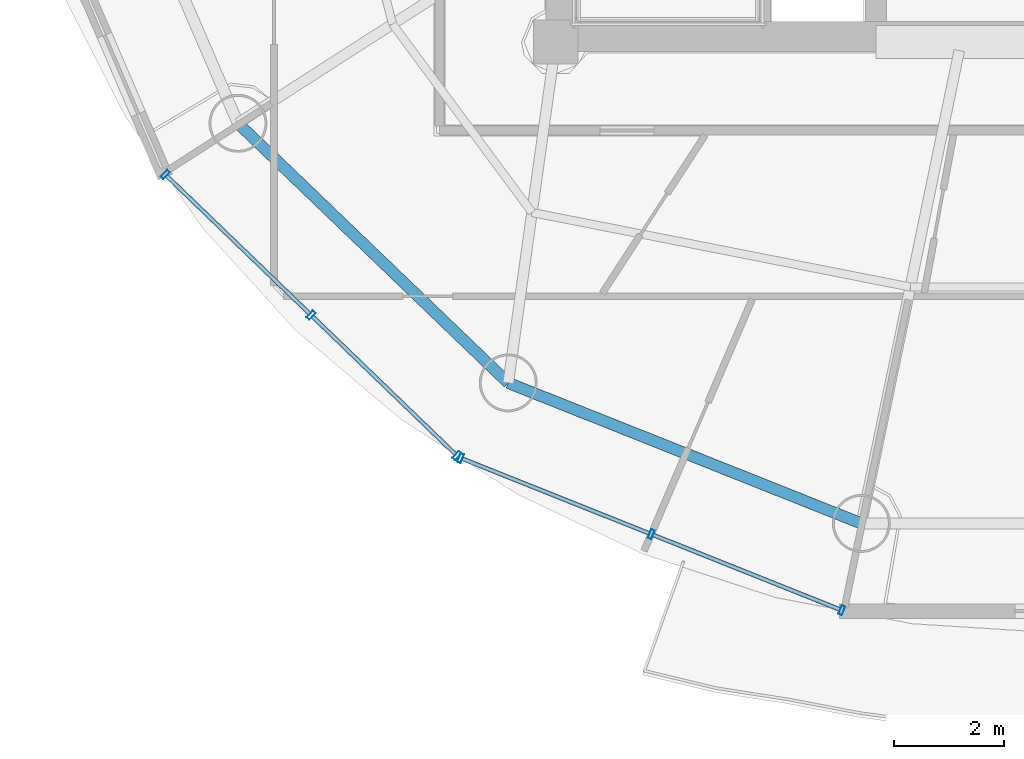
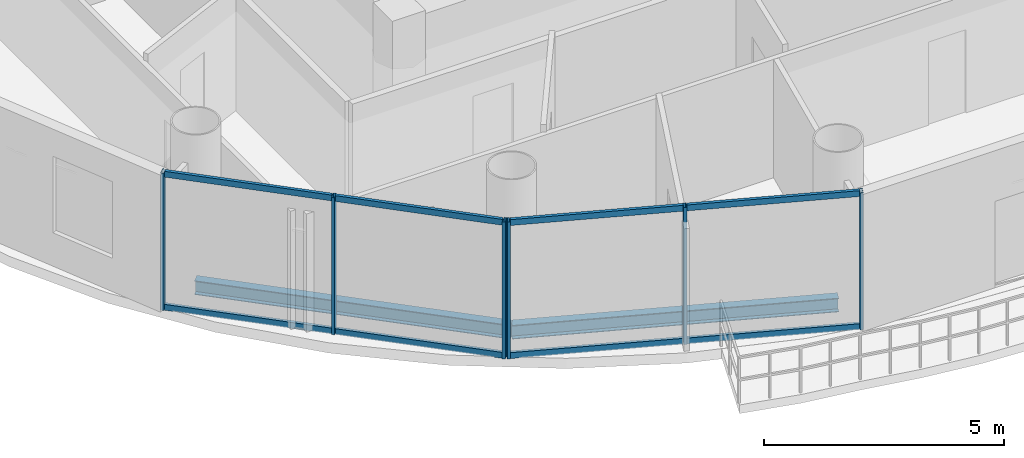
# One storey, part 2 of 24: 14 members, 2 beams, 2 elements without a shape of their own.
"""IFC4 building model written with IfcOpenShell, lengths in metres."""

from ifc_helpers import new_model, si_unit, direction, frame, origin, origin_2d, place, context, subcontext, project, spatial, hollow_rectangle, i_section, extrude, source, transform, mapped, material, material_profile, profile_set, type_object, element, aggregate, save


model = new_model("IFC4")

# Units and contexts
model_context = context("Model", 3, precision=1e-05, world=origin(), true_north=direction((-0.2419218956, 0.970295726276)))
body_context = subcontext(model_context, "Body", "Model", "MODEL_VIEW")
ifc_project = project(units=[si_unit("LENGTHUNIT", "METRE"), si_unit("AREAUNIT", "SQUARE_METRE"), si_unit("VOLUMEUNIT", "CUBIC_METRE"), si_unit("PLANEANGLEUNIT", "RADIAN"), si_unit("MASSUNIT", "GRAM", prefix="KILO")], contexts=[model_context])

# Site, building, storey
site_placement = place(None, origin())
site = spatial("IfcSite", under=ifc_project, at=site_placement, CompositionType="ELEMENT")
building_placement = place(site_placement, origin())
building = spatial("IfcBuilding", under=site, at=building_placement, Name="Cobrevalo Terracotta Tower", CompositionType="ELEMENT")
storey_placement = place(building_placement, frame((0.0, 0.0, 293.199951171875)))
storey = spatial("IfcBuildingStorey", under=building, at=storey_placement, Name="L77", CompositionType="ELEMENT", Elevation=293.199951171875)

# Beams
ifc_material_1 = material(Name="Steel S355", Category="steel")
ifc_material_profile_1 = material_profile(ifc_material_1, i_section(OverallWidth=0.205078125, OverallDepth=0.35400390625, WebThickness=0.009521484375, FlangeThickness=0.016845703125, at=origin_2d()), Name="W 360x79")
ifc_profile_set_1 = profile_set([ifc_material_profile_1], Name="Steel S355")
beam_type = type_object("IfcBeamType", Name="Structural Spandrel W 360x79 (Steel S355)", PredefinedType="SPANDREL", material=ifc_profile_set_1)
beam_1_placement = place(storey_placement, frame((23.241455078125, 17.32763671875, -0.43701171875), z_axis=(0.721183246144, -0.692744343522, 0.0), x_axis=(0.692744343522, 0.721183246144, 0.0)))
element("IfcBeam", 1, at=beam_1_placement, inside=storey, type_object=beam_type, Name="L77 perimeter ring spandrel 10", PredefinedType="SPANDREL", context=body_context, shape_type="SweptSolid", body=[
    extrude(i_section(OverallWidth=0.205078125, OverallDepth=0.35400390625, WebThickness=0.009521484375, FlangeThickness=0.016845703125, at=origin_2d()), origin(), (0.0, 0.0, 1.0), 6.79052734375),
])
beam_2_placement = place(storey_placement, frame((28.138671875, 12.62353515625, -0.43701171875), z_axis=(0.929149986048, -0.369702993533, 0.0), x_axis=(0.369702993533, 0.929149986048, 0.0)))
element("IfcBeam", 2, at=beam_2_placement, inside=storey, type_object=beam_type, Name="L77 perimeter ring spandrel 11", PredefinedType="SPANDREL", context=body_context, shape_type="SweptSolid", body=[
    extrude(i_section(OverallWidth=0.205078125, OverallDepth=0.35400390625, WebThickness=0.009521484375, FlangeThickness=0.016845703125, at=origin_2d()), origin(), (0.0, 0.0, 1.0), 6.88623046875),
])

# Curtain wall, members
ifc_material_2 = material(Name="Anodized aluminium", Category="aluminium")
curtain_wall_type = type_object("IfcCurtainWallType", Name="Upper-tower triple-glazed penthouse curtain wall CW-U3", PredefinedType="NOTDEFINED", material=ifc_material_2)
curtain_wall_1_placement = place(storey_placement, origin())
curtain_wall_1 = element("IfcCurtainWall", 3, at=curtain_wall_1_placement, inside=storey, type_object=curtain_wall_type, Name="L77 curtain wall CW-L77-S10", PredefinedType="NOTDEFINED")
ifc_material_profile_2 = material_profile(ifc_material_2, hollow_rectangle(XDim=0.070068359375, YDim=0.169921875, WallThickness=0.00439453125, at=origin_2d()), Name="CWM 70x170")
ifc_profile_set_2 = profile_set([ifc_material_profile_2], Name="Anodized aluminium")
member_type_1 = type_object("IfcMemberType", Name="Upper tower unitised mullion 70x170", PredefinedType="MULLION", material=ifc_profile_set_2)
shared_shape_1 = source(origin(), body_context, "Body", "SweptSolid", [
    extrude(hollow_rectangle(XDim=0.070068359375, YDim=0.169921875, WallThickness=0.00439453125, at=origin_2d()), origin(), (0.0, 0.0, 1.0), 3.489990234375),
])
member_1_placement = place(storey_placement, frame((21.92333984375, 16.399658203125, 0.0), z_axis=(0.0, 0.0, 1.0), x_axis=(0.71999418085, -0.69398010025, 0.0)))
member_1 = element("IfcMember", 4, at=member_1_placement, type_object=member_type_1, Name="CW-L77-S10 vertical mullion 01", PredefinedType="MULLION", context=body_context, shape_type="MappedRepresentation", body=[
    mapped(shared_shape_1, transform((0.0, 0.0, 0.0), scale=1.0)),
])
member_2_placement = place(storey_placement, frame((24.56640625, 13.85205078125, 0.0), z_axis=(0.0, 0.0, 1.0), x_axis=(0.71999418085, -0.69398010025, 0.0)))
member_2 = element("IfcMember", 5, at=member_2_placement, type_object=member_type_1, Name="CW-L77-S10 vertical mullion 02", PredefinedType="MULLION", context=body_context, shape_type="MappedRepresentation", body=[
    mapped(shared_shape_1, transform((0.0, 0.0, 0.0), scale=1.0)),
])
member_3_placement = place(storey_placement, frame((27.209716796875, 11.30419921875, 0.0), z_axis=(0.0, 0.0, 1.0), x_axis=(0.71999418085, -0.69398010025, 0.0)))
member_3 = element("IfcMember", 6, at=member_3_placement, type_object=member_type_1, Name="CW-L77-S10 vertical mullion 03", PredefinedType="MULLION", context=body_context, shape_type="MappedRepresentation", body=[
    mapped(shared_shape_1, transform((0.0, 0.0, 0.0), scale=1.0)),
])

curtain_wall_2_placement = place(storey_placement, origin())
curtain_wall_2 = element("IfcCurtainWall", 7, at=curtain_wall_2_placement, inside=storey, type_object=curtain_wall_type, Name="L77 curtain wall CW-L77-S11", PredefinedType="NOTDEFINED")
member_4_placement = place(storey_placement, frame((27.275634765625, 11.26171875, 0.0), z_axis=(0.0, 0.0, 1.0), x_axis=(0.928718980883, -0.370784377433, 0.0)))
member_4 = element("IfcMember", 8, at=member_4_placement, type_object=member_type_1, Name="CW-L77-S11 vertical mullion 01", PredefinedType="MULLION", context=body_context, shape_type="MappedRepresentation", body=[
    mapped(shared_shape_1, transform((0.0, 0.0, 0.0), scale=1.0)),
])
member_5_placement = place(storey_placement, frame((30.729736328125, 9.882568359375, 0.0), z_axis=(0.0, 0.0, 1.0), x_axis=(0.928718980883, -0.370784377433, 0.0)))
member_5 = element("IfcMember", 9, at=member_5_placement, type_object=member_type_1, Name="CW-L77-S11 vertical mullion 02", PredefinedType="MULLION", context=body_context, shape_type="MappedRepresentation", body=[
    mapped(shared_shape_1, transform((0.0, 0.0, 0.0), scale=1.0)),
])
member_6_placement = place(storey_placement, frame((34.183837890625, 8.503662109375, 0.0), z_axis=(0.0, 0.0, 1.0), x_axis=(0.928718980883, -0.370784377433, 0.0)))
member_6 = element("IfcMember", 10, at=member_6_placement, type_object=member_type_1, Name="CW-L77-S11 vertical mullion 03", PredefinedType="MULLION", context=body_context, shape_type="MappedRepresentation", body=[
    mapped(shared_shape_1, transform((0.0, 0.0, 0.0), scale=1.0)),
])

# Member
ifc_material_profile_3 = material_profile(ifc_material_2, hollow_rectangle(XDim=0.074951171875, YDim=0.14990234375, WallThickness=0.00439453125, at=origin_2d()), Name="CWT 75x150")
ifc_profile_set_3 = profile_set([ifc_material_profile_3], Name="Anodized aluminium")
member_type_2 = type_object("IfcMemberType", Name="Tower unitised aluminium transom 75x150", PredefinedType="USERDEFINED", material=ifc_profile_set_3)
shared_shape_2 = source(origin(), body_context, "Body", "SweptSolid", [
    extrude(hollow_rectangle(XDim=0.074951171875, YDim=0.14990234375, WallThickness=0.00439453125, at=origin_2d()), origin(), (0.0, 0.0, 1.0), 3.59130859375),
])
member_7_placement = place(storey_placement, frame((21.9521484375, 16.3720703125, 0.050048828125), z_axis=(0.719971660756, -0.694003463758, 0.0), x_axis=(0.694003463758, 0.719971660756, 0.0)))
member_7 = element("IfcMember", 11, at=member_7_placement, type_object=member_type_2, Name="CW-L77-S10 transom B01-T1", ObjectType="TRANSOM", PredefinedType="USERDEFINED", context=body_context, shape_type="MappedRepresentation", body=[
    mapped(shared_shape_2, transform((0.0, 0.0, 0.0), scale=1.0)),
])

member_8_placement = place(storey_placement, frame((21.9521484375, 16.3720703125, 3.43994140625), z_axis=(0.719971660756, -0.694003463758, 0.0), x_axis=(0.694003463758, 0.719971660756, 0.0)))
member_8 = element("IfcMember", 12, at=member_8_placement, type_object=member_type_2, Name="CW-L77-S10 transom B01-T2", ObjectType="TRANSOM", PredefinedType="USERDEFINED", context=body_context, shape_type="MappedRepresentation", body=[
    mapped(shared_shape_2, transform((0.0, 0.0, 0.0), scale=1.0)),
])

member_9_placement = place(storey_placement, frame((24.59521484375, 13.82421875, 0.050048828125), z_axis=(0.720005628362, -0.693968223427, 0.0), x_axis=(0.693968223427, 0.720005628362, 0.0)))
member_9 = element("IfcMember", 13, at=member_9_placement, type_object=member_type_2, Name="CW-L77-S10 transom B02-T1", ObjectType="TRANSOM", PredefinedType="USERDEFINED", context=body_context, shape_type="MappedRepresentation", body=[
    mapped(shared_shape_2, transform((0.0, 0.0, 0.0), scale=1.0)),
])

member_10_placement = place(storey_placement, frame((24.59521484375, 13.82421875, 3.43994140625), z_axis=(0.720005628362, -0.693968223427, 0.0), x_axis=(0.693968223427, 0.720005628362, 0.0)))
member_10 = element("IfcMember", 14, at=member_10_placement, type_object=member_type_2, Name="CW-L77-S10 transom B02-T2", ObjectType="TRANSOM", PredefinedType="USERDEFINED", context=body_context, shape_type="MappedRepresentation", body=[
    mapped(shared_shape_2, transform((0.0, 0.0, 0.0), scale=1.0)),
])

aggregate(curtain_wall_1, [member_1, member_2, member_3, member_7, member_8, member_9, member_10])

shared_shape_3 = source(origin(), body_context, "Body", "SweptSolid", [
    extrude(hollow_rectangle(XDim=0.074951171875, YDim=0.14990234375, WallThickness=0.00439453125, at=origin_2d()), origin(), (0.0, 0.0, 1.0), 3.63916015625),
])
member_11_placement = place(storey_placement, frame((27.31298828125, 11.246826171875, 0.050048828125), z_axis=(0.928712471544, -0.370800681227, 0.0), x_axis=(0.370800681227, 0.928712471544, 0.0)))
member_11 = element("IfcMember", 15, at=member_11_placement, type_object=member_type_2, Name="CW-L77-S11 transom B01-T1", ObjectType="TRANSOM", PredefinedType="USERDEFINED", context=body_context, shape_type="MappedRepresentation", body=[
    mapped(shared_shape_3, transform((0.0, 0.0, 0.0), scale=1.0)),
])

member_12_placement = place(storey_placement, frame((27.31298828125, 11.246826171875, 3.43994140625), z_axis=(0.928712471544, -0.370800681227, 0.0), x_axis=(0.370800681227, 0.928712471544, 0.0)))
member_12 = element("IfcMember", 16, at=member_12_placement, type_object=member_type_2, Name="CW-L77-S11 transom B01-T2", ObjectType="TRANSOM", PredefinedType="USERDEFINED", context=body_context, shape_type="MappedRepresentation", body=[
    mapped(shared_shape_3, transform((0.0, 0.0, 0.0), scale=1.0)),
])

member_13_placement = place(storey_placement, frame((30.76708984375, 9.86767578125, 0.050048828125), z_axis=(0.928712471544, -0.370800681227, 0.0), x_axis=(0.370800681227, 0.928712471544, 0.0)))
member_13 = element("IfcMember", 17, at=member_13_placement, type_object=member_type_2, Name="CW-L77-S11 transom B02-T1", ObjectType="TRANSOM", PredefinedType="USERDEFINED", context=body_context, shape_type="MappedRepresentation", body=[
    mapped(shared_shape_3, transform((0.0, 0.0, 0.0), scale=1.0)),
])

member_14_placement = place(storey_placement, frame((30.76708984375, 9.86767578125, 3.43994140625), z_axis=(0.928712471544, -0.370800681227, 0.0), x_axis=(0.370800681227, 0.928712471544, 0.0)))
member_14 = element("IfcMember", 18, at=member_14_placement, type_object=member_type_2, Name="CW-L77-S11 transom B02-T2", ObjectType="TRANSOM", PredefinedType="USERDEFINED", context=body_context, shape_type="MappedRepresentation", body=[
    mapped(shared_shape_3, transform((0.0, 0.0, 0.0), scale=1.0)),
])

aggregate(curtain_wall_2, [member_4, member_5, member_6, member_11, member_12, member_13, member_14])

save(model, "model.ifc")
